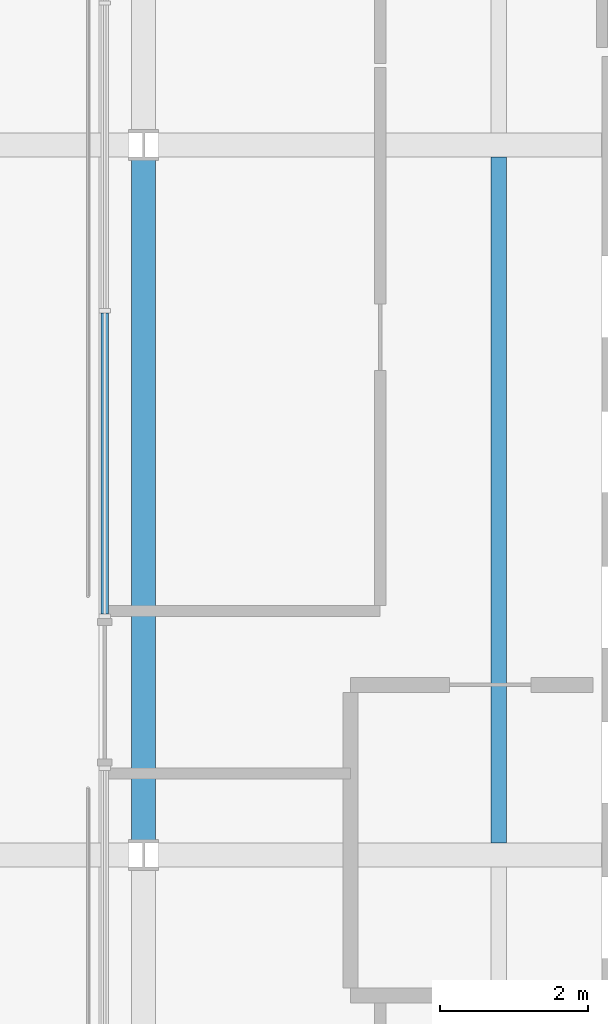
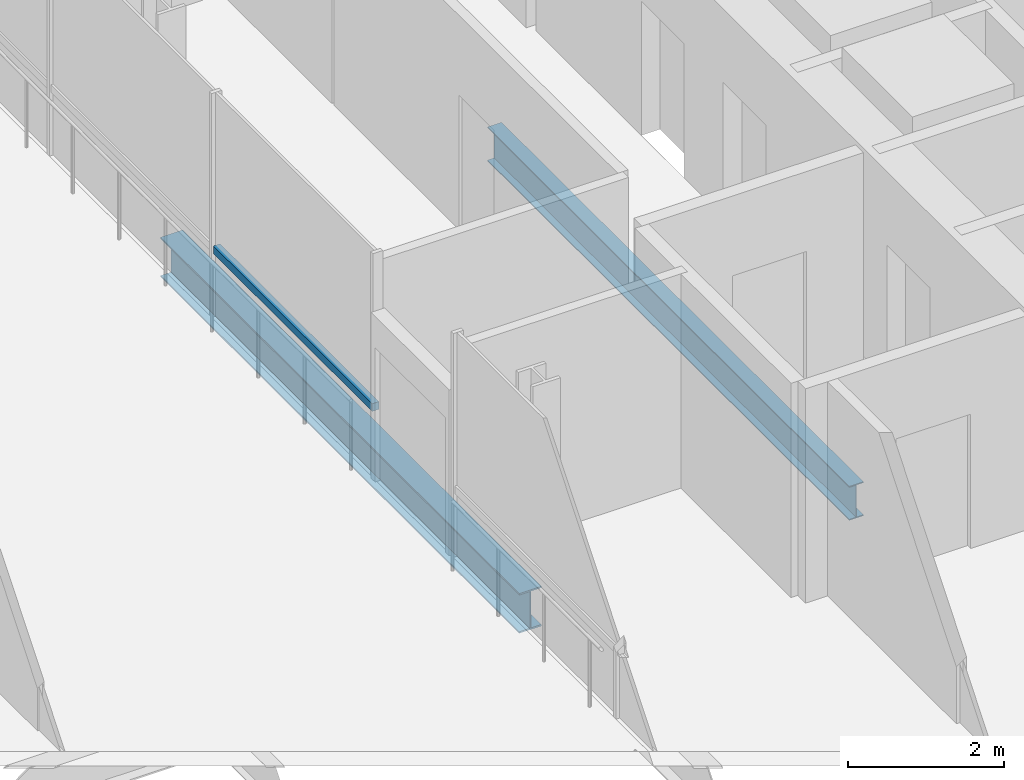
# One storey, part 6 of 24: 2 beams, 1 member, 1 element without a shape of its own.
"""IFC4 building model written with IfcOpenShell, lengths in metres."""

from ifc_helpers import new_model, si_unit, direction, frame, origin, origin_2d, place, context, subcontext, project, spatial, rectangle, i_section, extrude, material, material_profile, profile_set, type_object, element, aggregate, save


model = new_model("IFC4")

# Units and contexts
model_context = context("Model", 3, precision=1e-05, world=origin(), true_north=direction((0.0, 1.0)))
body_context = subcontext(model_context, "Body", "Model", "MODEL_VIEW")
ifc_project = project(units=[si_unit("LENGTHUNIT", "METRE"), si_unit("AREAUNIT", "SQUARE_METRE"), si_unit("VOLUMEUNIT", "CUBIC_METRE"), si_unit("PLANEANGLEUNIT", "RADIAN"), si_unit("MASSUNIT", "GRAM", prefix="KILO")], contexts=[model_context])

# Site, building, storey
site_placement = place(None, origin())
site = spatial("IfcSite", under=ifc_project, at=site_placement, CompositionType="ELEMENT")
building_placement = place(site_placement, origin())
building = spatial("IfcBuilding", under=site, at=building_placement, Name="Cobrizo Arcos Hotel Tower", CompositionType="ELEMENT")
storey_placement = place(building_placement, frame((0.0, 0.0, 60.0)))
storey = spatial("IfcBuildingStorey", under=building, at=storey_placement, Name="L13", CompositionType="ELEMENT", Elevation=60.0)

# Curtain wall, member
ifc_material_1 = material(Name="Aluminium 6063-T6 anodised bronze", Category="aluminium")
curtain_wall_type = type_object("IfcCurtainWallType", Name="CW-F void screen", PredefinedType="NOTDEFINED", material=ifc_material_1)
curtain_wall_placement = place(storey_placement, origin())
curtain_wall = element("IfcCurtainWall", 1, at=curtain_wall_placement, inside=storey, type_object=curtain_wall_type, Name="CW-F L13 void screen A", PredefinedType="NOTDEFINED")
ifc_material_profile_1 = material_profile(ifc_material_1, rectangle(XDim=0.10009765625, YDim=0.1201171875, at=origin_2d()), Name="CW-F transom 120x100")
ifc_profile_set_1 = profile_set([ifc_material_profile_1], Name="Aluminium 6063-T6 anodised bronze")
member_type = type_object("IfcMemberType", Name="CW-F transom 120x100", PredefinedType="USERDEFINED", material=ifc_profile_set_1)
member_placement = place(storey_placement, frame((9.074951171875, 3.260009765625, 1.050048828125), z_axis=(0.0, 1.0, 0.0), x_axis=(-1.0, 0.0, 0.0)))
member = element("IfcMember", 2, at=member_placement, type_object=member_type, Name="CW-F transom 2432", ObjectType="TRANSOM", PredefinedType="USERDEFINED", context=body_context, shape_type="SweptSolid", body=[
    extrude(rectangle(XDim=0.10009765625, YDim=0.1201171875, at=origin_2d()), origin(), (0.0, 0.0, 1.0), 4.070068359375),
])
aggregate(curtain_wall, [member])

# Beams
ifc_material_2 = material(Name="Steel ASTM A992 Grade 50", Category="steel")
ifc_material_profile_2 = material_profile(ifc_material_2, i_section(OverallWidth=0.209228515625, OverallDepth=0.533447265625, WebThickness=0.01025390625, FlangeThickness=0.015625, at=origin_2d()), Name="W21X62")
ifc_profile_set_2 = profile_set([ifc_material_profile_2], Name="Steel ASTM A992 Grade 50")
beam_type_1 = type_object("IfcBeamType", Name="W21X62 joist", PredefinedType="JOIST", material=ifc_profile_set_2)
beam_1_placement = place(storey_placement, frame((14.39990234375, 0.163818359375, -0.416748046875), z_axis=(0.0, 1.0, 0.0), x_axis=(-1.0, 0.0, 0.0)))
element("IfcBeam", 3, at=beam_1_placement, inside=storey, type_object=beam_type_1, Name="Floor joist J1, L13, no. 017", PredefinedType="JOIST", context=body_context, shape_type="SweptSolid", body=[
    extrude(i_section(OverallWidth=0.209228515625, OverallDepth=0.533447265625, WebThickness=0.01025390625, FlangeThickness=0.015625, at=origin_2d()), origin(), (0.0, 0.0, 1.0), 9.272216796875),
])
ifc_material_profile_3 = material_profile(ifc_material_2, i_section(OverallWidth=0.32763671875, OverallDepth=0.622314453125, WebThickness=0.015380859375, FlangeThickness=0.0244140625, at=origin_2d()), Name="W24X131")
ifc_profile_set_3 = profile_set([ifc_material_profile_3], Name="Steel ASTM A992 Grade 50")
beam_type_2 = type_object("IfcBeamType", Name="W24X131 girder", PredefinedType="BEAM", material=ifc_profile_set_3)
beam_2_placement = place(storey_placement, frame((9.60009765625, 0.204345703125, -0.461181640625), z_axis=(0.0, 1.0, 0.0), x_axis=(-1.0, 0.0, 0.0)))
element("IfcBeam", 4, at=beam_2_placement, inside=storey, type_object=beam_type_2, Name="Floor girder G1, L13, no. 023", PredefinedType="BEAM", context=body_context, shape_type="SweptSolid", body=[
    extrude(i_section(OverallWidth=0.32763671875, OverallDepth=0.622314453125, WebThickness=0.015380859375, FlangeThickness=0.0244140625, at=origin_2d()), origin(), (0.0, 0.0, 1.0), 9.191162109375),
])

save(model, "model.ifc")
